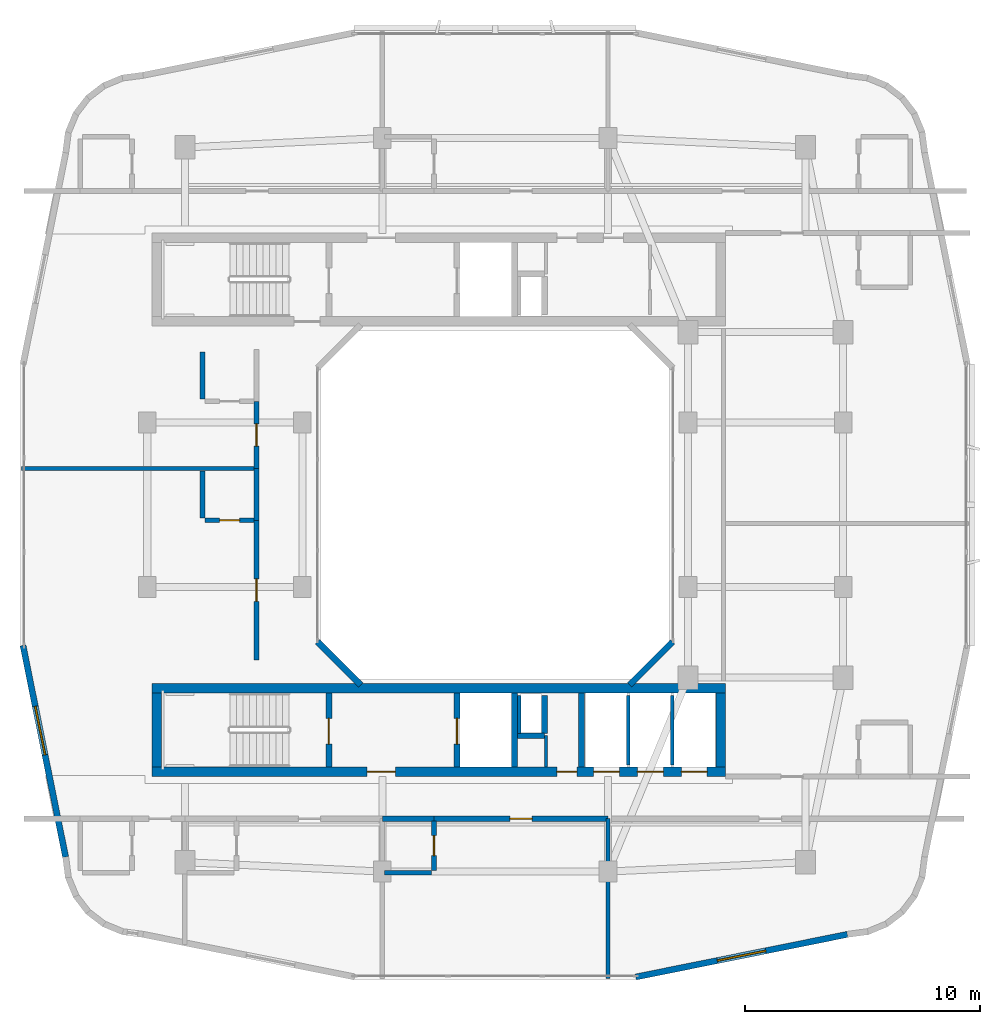
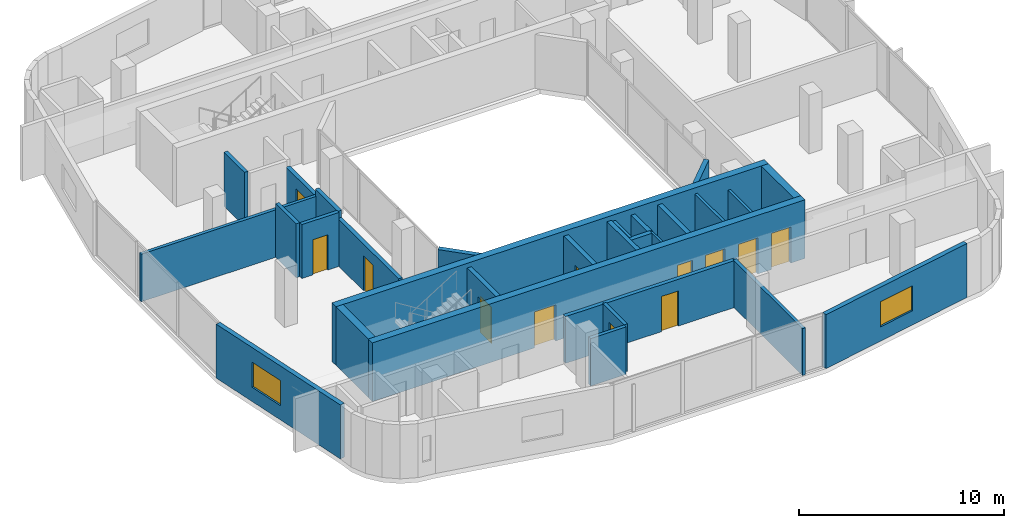
# One storey, part 7 of 14: 30 walls, 12 doors, 2 windows, 14 openings.
"""IFC4 building model written with IfcOpenShell, lengths in metres."""

from ifc_helpers import new_model, si_unit, derived_unit, direction, frame, frame_2d, origin, place, context, subcontext, project, spatial, rectangle, extrude, material, layer, layer_set, type_object, element, fill, save


model = new_model("IFC4")

# Units and contexts
model_context = context("Model", 3, precision=1e-05, world=origin(), true_north=direction((0.0, 1.0)))
body_context = subcontext(model_context, "Body", "Model", "MODEL_VIEW")
ifc_project = project(units=[si_unit("LENGTHUNIT", "METRE"), si_unit("AREAUNIT", "SQUARE_METRE"), si_unit("VOLUMEUNIT", "CUBIC_METRE"), si_unit("PLANEANGLEUNIT", "RADIAN"), si_unit("MASSUNIT", "GRAM", prefix="KILO"), derived_unit("THERMALTRANSMITTANCEUNIT", [(si_unit("POWERUNIT", "WATT"), 1), (si_unit("LENGTHUNIT", "METRE"), -2), (si_unit("THERMODYNAMICTEMPERATUREUNIT", "KELVIN"), -1)])], contexts=[model_context])

# Site, building, storey
site_placement = place(None, origin())
site = spatial("IfcSite", under=ifc_project, at=site_placement, CompositionType="ELEMENT")
building_placement = place(site_placement, origin())
building = spatial("IfcBuilding", under=site, at=building_placement, Name="Kivonza Crest Hotel", CompositionType="ELEMENT")
storey_placement = place(building_placement, frame((0.0, 0.0, 148.5)))
storey = spatial("IfcBuildingStorey", under=building, at=storey_placement, Name="L40", CompositionType="ELEMENT", Elevation=148.5)

# Walls
ifc_material_1 = material(Name="High-density acoustic masonry inter-tenancy wall", Category="masonry")
ifc_layer_1 = layer(ifc_material_1, 0.179931640625)
ifc_layer_set_1 = layer_set([ifc_layer_1], Name="High-density acoustic masonry inter-tenancy wall")
wall_type_1 = type_object("IfcWallType", Name="WL-ACOU-180", PredefinedType="SOLIDWALL", material=ifc_layer_set_1)
wall_1_placement = place(storey_placement, frame((25.800048828125, 4.860107421875, 0.0), z_axis=(0.0, 0.0, 1.0), x_axis=(0.0, 1.0, 0.0)))
element("IfcWall", 1, at=wall_1_placement, inside=storey, type_object=wall_type_1, Name="L40 interior partition WA-L40-T1S-DIV3", PredefinedType="SOLIDWALL", context=body_context, shape_type="SweptSolid", body=[
    extrude(rectangle(XDim=6.789794921875, YDim=0.179931640625, at=frame_2d((3.39501953125, 0.0))), origin(), (0.0, 0.0, 1.0), 2.794921875),
])
wall_2_placement = place(storey_placement, frame((0.860107421875, 26.5400390625, 0.0), z_axis=(0.0, 0.0, 1.0), x_axis=(1.0, 0.0, 0.0)))
element("IfcWall", 2, at=wall_2_placement, inside=storey, type_object=wall_type_1, Name="L40 interior partition WA-L40-T1W-DIV1", PredefinedType="SOLIDWALL", context=body_context, shape_type="SweptSolid", body=[
    extrude(rectangle(XDim=9.989990234375, YDim=0.179931640625, at=frame_2d((4.9951171875, 0.0))), origin(), (0.0, 0.0, 1.0), 2.8349609375),
])
ifc_material_2 = material(Name="Autoclaved aerated concrete blockwork", Category="masonry")
ifc_layer_2 = layer(ifc_material_2, 0.219970703125)
ifc_layer_set_2 = layer_set([ifc_layer_2], Name="Autoclaved aerated concrete blockwork")
wall_type_2 = type_object("IfcWallType", Name="WL-ACOU-220", PredefinedType="SOLIDWALL", material=ifc_layer_set_2)
wall_3_placement = place(storey_placement, frame((16.199951171875, 11.64990234375, 0.0), z_axis=(0.0, 0.0, 1.0), x_axis=(1.0, 0.0, 0.0)))
element("IfcWall", 3, at=wall_3_placement, inside=storey, type_object=wall_type_2, Name="L40 interior partition WA-L40-S06-BCORR", PredefinedType="SOLIDWALL", context=body_context, shape_type="SweptSolid", body=[
    extrude(rectangle(XDim=2.199951171875, YDim=0.219970703125, at=frame_2d((1.10009765625, 0.0))), origin(), (0.0, 0.0, 1.0), 2.794921875),
])

# Wall, opening, door
wall_4_placement = place(storey_placement, frame((18.39990234375, 11.64990234375, 0.0), z_axis=(0.0, 0.0, 1.0), x_axis=(1.0, 0.0, 0.0)))
wall_4 = element("IfcWall", 4, at=wall_4_placement, inside=storey, type_object=wall_type_2, Name="L40 interior partition WA-L40-S06-MCORR", PredefinedType="SOLIDWALL", context=body_context, shape_type="SweptSolid", body=[
    extrude(rectangle(XDim=7.400146484375, YDim=0.219970703125, at=frame_2d((3.7001953125, 0.0))), origin(), (0.0, 0.0, 1.0), 2.794921875),
])
opening_1_placement = place(wall_4_placement, frame((3.22509765625, 0.0, 0.0)))
opening_1 = element("IfcOpeningElement", 5, at=opening_1_placement, cuts=wall_4, Name="Opening DU-60", PredefinedType="OPENING", context=body_context, shape_type="SweptSolid", body=[
    extrude(rectangle(XDim=0.949951171875, YDim=2.10009765625, at=frame_2d((0.47509765625, 1.050048828125))), frame((0.0, 0.1201171875, 0.0), z_axis=(0.0, -1.0, 0.0), x_axis=(1.0, 0.0, 0.0)), (0.0, 0.0, 1.0), 0.239990234375),
])
ifc_material_3 = material(Name="Hardwood timber oak", Category="wood")
door_type_1 = type_object("IfcDoorType", Name="DR-UNIT-950", OperationType="NOTDEFINED", PredefinedType="DOOR", material=ifc_material_3)
door_1_placement = place(opening_1_placement, frame((0.949951171875, 0.0, 0.0), z_axis=(0.0, 0.0, 1.0), x_axis=(-1.0, 0.0, 0.0)))
door_1 = element("IfcDoor", 6, at=door_1_placement, inside=storey, type_object=door_type_1, Name="L40 S06 guest unit entrance fire door", OperationType="SINGLE_SWING_RIGHT", OverallHeight=2.10009765625, OverallWidth=0.949951171875, PredefinedType="DOOR", context=body_context, shape_type="SweptSolid", body=[
    extrude(rectangle(XDim=0.949951171875, YDim=2.10009765625, at=frame_2d((0.47509765625, 1.050048828125))), frame((0.0, 0.02490234375, 0.0), z_axis=(0.0, -1.0, 0.0), x_axis=(1.0, 0.0, 0.0)), (0.0, 0.0, 1.0), 0.050048828125),
])
fill(opening_1, door_1)

# Wall
wall_5_placement = place(storey_placement, frame((10.85009765625, 24.340087890625, 0.0), z_axis=(0.0, 0.0, 1.0), x_axis=(0.0, 1.0, 0.0)))
element("IfcWall", 7, at=wall_5_placement, inside=storey, type_object=wall_type_2, Name="L40 interior partition WA-L40-W07-BCORR", PredefinedType="SOLIDWALL", context=body_context, shape_type="SweptSolid", body=[
    extrude(rectangle(XDim=2.199951171875, YDim=0.219970703125, at=frame_2d((1.10009765625, 0.0))), origin(), (0.0, 0.0, 1.0), 3.219970703125),
])

# Wall, opening, door
wall_6_placement = place(storey_placement, frame((10.85009765625, 18.39990234375, 0.0), z_axis=(0.0, 0.0, 1.0), x_axis=(0.0, 1.0, 0.0)))
wall_6 = element("IfcWall", 8, at=wall_6_placement, inside=storey, type_object=wall_type_2, Name="L40 interior partition WA-L40-W07-MCORR", PredefinedType="SOLIDWALL", context=body_context, shape_type="SweptSolid", body=[
    extrude(rectangle(XDim=5.940185546875, YDim=0.219970703125, at=frame_2d((2.97021484375, 0.0))), origin(), (0.0, 0.0, 1.0), 2.794921875),
])
opening_2_placement = place(wall_6_placement, frame((2.4951171875, 0.0, 0.0)))
opening_2 = element("IfcOpeningElement", 9, at=opening_2_placement, cuts=wall_6, Name="Opening DU-60", PredefinedType="OPENING", context=body_context, shape_type="SweptSolid", body=[
    extrude(rectangle(XDim=0.949951171875, YDim=2.10009765625, at=frame_2d((0.47509765625, 1.050048828125))), frame((0.0, 0.1201171875, 0.0), z_axis=(0.0, -1.0, 0.0), x_axis=(1.0, 0.0, 0.0)), (0.0, 0.0, 1.0), 0.239990234375),
])
door_2_placement = place(opening_2_placement, origin())
door_2 = element("IfcDoor", 10, at=door_2_placement, inside=storey, type_object=door_type_1, Name="L40 W07 guest unit entrance fire door", OperationType="SINGLE_SWING_LEFT", OverallHeight=2.10009765625, OverallWidth=0.949951171875, PredefinedType="DOOR", context=body_context, shape_type="SweptSolid", body=[
    extrude(rectangle(XDim=0.949951171875, YDim=2.10009765625, at=frame_2d((0.47509765625, 1.050048828125))), frame((0.0, 0.02490234375, 0.0), z_axis=(0.0, -1.0, 0.0), x_axis=(1.0, 0.0, 0.0)), (0.0, 0.0, 1.0), 0.050048828125),
])
fill(opening_2, door_2)

wall_7_placement = place(storey_placement, frame((10.85009765625, 26.5400390625, 0.0), z_axis=(0.0, 0.0, 1.0), x_axis=(0.0, 1.0, 0.0)))
wall_7 = element("IfcWall", 11, at=wall_7_placement, inside=storey, type_object=wall_type_2, Name="L40 interior partition WA-L40-W08-MCORR", PredefinedType="SOLIDWALL", context=body_context, shape_type="SweptSolid", body=[
    extrude(rectangle(XDim=2.85986328125, YDim=0.219970703125, at=frame_2d((1.429931640625, 0.0))), origin(), (0.0, 0.0, 1.0), 2.794921875),
])
opening_3_placement = place(wall_7_placement, frame((0.955078125, 0.0, 0.0)))
opening_3 = element("IfcOpeningElement", 12, at=opening_3_placement, cuts=wall_7, Name="Opening DU-60", PredefinedType="OPENING", context=body_context, shape_type="SweptSolid", body=[
    extrude(rectangle(XDim=0.949951171875, YDim=2.10009765625, at=frame_2d((0.47509765625, 1.050048828125))), frame((0.0, 0.1201171875, 0.0), z_axis=(0.0, -1.0, 0.0), x_axis=(1.0, 0.0, 0.0)), (0.0, 0.0, 1.0), 0.239990234375),
])
door_3_placement = place(opening_3_placement, origin())
door_3 = element("IfcDoor", 13, at=door_3_placement, inside=storey, type_object=door_type_1, Name="L40 W08 guest unit entrance fire door", OperationType="SINGLE_SWING_RIGHT", OverallHeight=2.10009765625, OverallWidth=0.949951171875, PredefinedType="DOOR", context=body_context, shape_type="SweptSolid", body=[
    extrude(rectangle(XDim=0.949951171875, YDim=2.10009765625, at=frame_2d((0.47509765625, 1.050048828125))), frame((0.0, 0.02490234375, 0.0), z_axis=(0.0, -1.0, 0.0), x_axis=(1.0, 0.0, 0.0)), (0.0, 0.0, 1.0), 0.050048828125),
])
fill(opening_3, door_3)

# Wall, openings, doors
ifc_material_4 = material(Name="Concrete C50/60", Category="concrete")
ifc_layer_3 = layer(ifc_material_4, 0.39990234375)
ifc_layer_set_3 = layer_set([ifc_layer_3], Name="Concrete C50/60")
wall_type_3 = type_object("IfcWallType", Name="WL-CORE-400", PredefinedType="SHEAR", material=ifc_layer_set_3)
wall_8_placement = place(storey_placement, frame((6.39990234375, 13.639892578125, 0.0), z_axis=(0.0, 0.0, 1.0), x_axis=(1.0, 0.0, 0.0)))
wall_8 = element("IfcWall", 14, at=wall_8_placement, inside=storey, type_object=wall_type_3, Name="Core wall T1-S South L40", PredefinedType="SHEAR", context=body_context, shape_type="SweptSolid", body=[
    extrude(rectangle(XDim=24.400146484375, YDim=0.39990234375, at=frame_2d((12.2001953125, 0.0))), origin(), (0.0, 0.0, 1.0), 3.5),
])
opening_4_placement = place(wall_8_placement, frame((9.14990234375, 0.0, 0.0)))
opening_4 = element("IfcOpeningElement", 15, at=opening_4_placement, cuts=wall_8, Name="Opening DF-60", PredefinedType="OPENING", context=body_context, shape_type="SweptSolid", body=[
    extrude(rectangle(XDim=1.199951171875, YDim=2.14990234375, at=frame_2d((0.60009765625, 1.074951171875))), frame((0.0, 0.2099609375, 0.0), z_axis=(0.0, -1.0, 0.0), x_axis=(1.0, 0.0, 0.0)), (0.0, 0.0, 1.0), 0.419921875),
])
opening_5_placement = place(wall_8_placement, frame((17.219970703125, 0.0, 0.0)))
opening_5 = element("IfcOpeningElement", 16, at=opening_5_placement, cuts=wall_8, Name="Opening DF-60R", PredefinedType="OPENING", context=body_context, shape_type="SweptSolid", body=[
    extrude(rectangle(XDim=0.85009765625, YDim=2.10009765625, at=frame_2d((0.425048828125, 1.050048828125))), frame((0.0, 0.2099609375, 0.0), z_axis=(0.0, -1.0, 0.0), x_axis=(1.0, 0.0, 0.0)), (0.0, 0.0, 1.0), 0.419921875),
])
opening_6_placement = place(wall_8_placement, frame((18.782958984375, 0.0, 0.0)))
opening_6 = element("IfcOpeningElement", 17, at=opening_6_placement, cuts=wall_8, Name="Opening LD-120", PredefinedType="OPENING", context=body_context, shape_type="SweptSolid", body=[
    extrude(rectangle(XDim=1.10009765625, YDim=2.14990234375, at=frame_2d((0.550048828125, 1.074951171875))), frame((0.0, 0.2099609375, 0.0), z_axis=(0.0, -1.0, 0.0), x_axis=(1.0, 0.0, 0.0)), (0.0, 0.0, 1.0), 0.419921875),
])
opening_7_placement = place(wall_8_placement, frame((20.64990234375, 0.0, 0.0)))
opening_7 = element("IfcOpeningElement", 18, at=opening_7_placement, cuts=wall_8, Name="Opening LD-120", PredefinedType="OPENING", context=body_context, shape_type="SweptSolid", body=[
    extrude(rectangle(XDim=1.10009765625, YDim=2.14990234375, at=frame_2d((0.550048828125, 1.074951171875))), frame((0.0, 0.2099609375, 0.0), z_axis=(0.0, -1.0, 0.0), x_axis=(1.0, 0.0, 0.0)), (0.0, 0.0, 1.0), 0.419921875),
])
opening_8_placement = place(wall_8_placement, frame((22.51708984375, 0.0, 0.0)))
opening_8 = element("IfcOpeningElement", 19, at=opening_8_placement, cuts=wall_8, Name="Opening LD-120", PredefinedType="OPENING", context=body_context, shape_type="SweptSolid", body=[
    extrude(rectangle(XDim=1.10009765625, YDim=2.14990234375, at=frame_2d((0.550048828125, 1.074951171875))), frame((0.0, 0.2099609375, 0.0), z_axis=(0.0, -1.0, 0.0), x_axis=(1.0, 0.0, 0.0)), (0.0, 0.0, 1.0), 0.419921875),
])
door_type_2 = type_object("IfcDoorType", Name="DR-FD60-1200", OperationType="NOTDEFINED", PredefinedType="DOOR", material=ifc_material_3)
door_4_placement = place(opening_4_placement, frame((1.199951171875, 0.0, 0.0), z_axis=(0.0, 0.0, 1.0), x_axis=(-1.0, 0.0, 0.0)))
door_4 = element("IfcDoor", 20, at=door_4_placement, inside=storey, type_object=door_type_2, Name="L40 T1-S firefighting lobby fire door", OperationType="SINGLE_SWING_LEFT", OverallHeight=2.14990234375, OverallWidth=1.199951171875, PredefinedType="DOOR", context=body_context, shape_type="SweptSolid", body=[
    extrude(rectangle(XDim=1.199951171875, YDim=2.14990234375, at=frame_2d((0.60009765625, 1.074951171875))), frame((0.0, 0.02490234375, 0.0), z_axis=(0.0, -1.0, 0.0), x_axis=(1.0, 0.0, 0.0)), (0.0, 0.0, 1.0), 0.050048828125),
])
fill(opening_4, door_4)
door_type_3 = type_object("IfcDoorType", Name="DR-FD60-850", OperationType="NOTDEFINED", PredefinedType="DOOR", material=ifc_material_3)
door_5_placement = place(opening_5_placement, frame((0.85009765625, 0.0, 0.0), z_axis=(0.0, 0.0, 1.0), x_axis=(-1.0, 0.0, 0.0)))
door_5 = element("IfcDoor", 21, at=door_5_placement, inside=storey, type_object=door_type_3, Name="L40 T1-S core room door", OperationType="SINGLE_SWING_RIGHT", OverallHeight=2.10009765625, OverallWidth=0.85009765625, PredefinedType="DOOR", context=body_context, shape_type="SweptSolid", body=[
    extrude(rectangle(XDim=0.85009765625, YDim=2.10009765625, at=frame_2d((0.425048828125, 1.050048828125))), frame((0.0, 0.02490234375, 0.0), z_axis=(0.0, -1.0, 0.0), x_axis=(1.0, 0.0, 0.0)), (0.0, 0.0, 1.0), 0.050048828125),
])
fill(opening_5, door_5)
ifc_material_5 = material(Name="Stainless steel", Category="steel")
door_type_4 = type_object("IfcDoorType", Name="DR-LD120-1100", OperationType="NOTDEFINED", PredefinedType="DOOR", material=ifc_material_5)
door_6_placement = place(opening_6_placement, frame((1.10009765625, 0.0, 0.0), z_axis=(0.0, 0.0, 1.0), x_axis=(-1.0, 0.0, 0.0)))
door_6 = element("IfcDoor", 22, at=door_6_placement, inside=storey, type_object=door_type_4, Name="L40 PL-T1-H1 passenger lift sliding landing door", OperationType="DOUBLE_DOOR_SLIDING", OverallHeight=2.14990234375, OverallWidth=1.10009765625, PredefinedType="DOOR", context=body_context, shape_type="SweptSolid", body=[
    extrude(rectangle(XDim=1.10009765625, YDim=2.14990234375, at=frame_2d((0.550048828125, 1.074951171875))), frame((0.0, 0.02490234375, 0.0), z_axis=(0.0, -1.0, 0.0), x_axis=(1.0, 0.0, 0.0)), (0.0, 0.0, 1.0), 0.050048828125),
])
fill(opening_6, door_6)
door_7_placement = place(opening_7_placement, frame((1.10009765625, 0.0, 0.0), z_axis=(0.0, 0.0, 1.0), x_axis=(-1.0, 0.0, 0.0)))
door_7 = element("IfcDoor", 23, at=door_7_placement, inside=storey, type_object=door_type_4, Name="L40 PL-T1-H2 passenger lift sliding landing door", OperationType="DOUBLE_DOOR_SLIDING", OverallHeight=2.14990234375, OverallWidth=1.10009765625, PredefinedType="DOOR", context=body_context, shape_type="SweptSolid", body=[
    extrude(rectangle(XDim=1.10009765625, YDim=2.14990234375, at=frame_2d((0.550048828125, 1.074951171875))), frame((0.0, 0.02490234375, 0.0), z_axis=(0.0, -1.0, 0.0), x_axis=(1.0, 0.0, 0.0)), (0.0, 0.0, 1.0), 0.050048828125),
])
fill(opening_7, door_7)
door_8_placement = place(opening_8_placement, frame((1.10009765625, 0.0, 0.0), z_axis=(0.0, 0.0, 1.0), x_axis=(-1.0, 0.0, 0.0)))
door_8 = element("IfcDoor", 24, at=door_8_placement, inside=storey, type_object=door_type_4, Name="L40 PL-T1-H3 passenger lift sliding landing door", OperationType="DOUBLE_DOOR_SLIDING", OverallHeight=2.14990234375, OverallWidth=1.10009765625, PredefinedType="DOOR", context=body_context, shape_type="SweptSolid", body=[
    extrude(rectangle(XDim=1.10009765625, YDim=2.14990234375, at=frame_2d((0.550048828125, 1.074951171875))), frame((0.0, 0.02490234375, 0.0), z_axis=(0.0, -1.0, 0.0), x_axis=(1.0, 0.0, 0.0)), (0.0, 0.0, 1.0), 0.050048828125),
])
fill(opening_8, door_8)

# Walls
wall_9_placement = place(storey_placement, frame((6.39990234375, 17.199951171875, 0.0), z_axis=(0.0, 0.0, 1.0), x_axis=(1.0, 0.0, 0.0)))
element("IfcWall", 25, at=wall_9_placement, inside=storey, type_object=wall_type_3, Name="Core wall T1-S North L40", PredefinedType="SHEAR", context=body_context, shape_type="SweptSolid", body=[
    extrude(rectangle(XDim=24.400146484375, YDim=0.39990234375, at=frame_2d((12.2001953125, 0.0))), origin(), (0.0, 0.0, 1.0), 3.5),
])
for number, where, z_axis, x_axis, name in (
    (26, (6.60009765625, 13.840087890625, 0.0), (0.0, 0.0, 1.0), (0.0, 1.0, 0.0), "Core wall T1-S West L40"),
    (27, (30.60009765625, 13.840087890625, 0.0), (0.0, 0.0, 1.0), (0.0, 1.0, 0.0), "Core wall T1-S East L40"),
):
    element("IfcWall", number, at=place(storey_placement, frame(where, z_axis=z_axis, x_axis=x_axis)), inside=storey, type_object=wall_type_3, Name=name, PredefinedType="SHEAR", context=body_context, shape_type="SweptSolid", body=[
        extrude(rectangle(XDim=3.159912109375, YDim=0.39990234375, at=frame_2d((1.580078125, 0.0))), origin(), (0.0, 0.0, 1.0), 3.5),
    ])

# Wall, opening, window
ifc_material_6 = material(Name="Precast concrete C40/50", Category="concrete")
ifc_layer_4 = layer(ifc_material_6, 0.260009765625)
ifc_layer_set_4 = layer_set([ifc_layer_4], Name="Precast concrete C40/50")
wall_type_4 = type_object("IfcWallType", Name="WL-EXT-260", PredefinedType="STANDARD", material=ifc_layer_set_4)
wall_10_placement = place(storey_placement, frame((26.97998046875, 4.916015625, 0.0), z_axis=(0.0, 0.0, 1.0), x_axis=(0.980315963543, 0.197435082048, 0.0)))
wall_10 = element("IfcWall", 28, at=wall_10_placement, inside=storey, type_object=wall_type_4, Name="L40 T1 exterior insulated wall 9", PredefinedType="STANDARD", context=body_context, shape_type="SweptSolid", body=[
    extrude(rectangle(XDim=9.1826171875, YDim=0.260009765625, at=frame_2d((4.59130859375, 0.0))), origin(), (0.0, 0.0, 1.0), 3.219970703125),
])
opening_9_placement = place(wall_10_placement, frame((3.541015625, 0.0, 0.85009765625)))
opening_9 = element("IfcOpeningElement", 29, at=opening_9_placement, cuts=wall_10, Name="Opening WN-04", PredefinedType="OPENING", context=body_context, shape_type="SweptSolid", body=[
    extrude(rectangle(XDim=2.10009765625, YDim=1.5, at=frame_2d((1.050048828125, 0.75))), frame((0.0, 0.14013671875, 0.0), z_axis=(0.0, -1.0, 0.0), x_axis=(1.0, 0.0, 0.0)), (0.0, 0.0, 1.0), 0.280029296875),
])
ifc_material_7 = material(Name="Thermally broken bronze aluminium and low-E double glazing", Category="aluminium")
window_type = type_object("IfcWindowType", Name="WN-210x150", PartitioningType="DOUBLE_PANEL_VERTICAL", PredefinedType="WINDOW", material=ifc_material_7)
window_1_placement = place(opening_9_placement, origin())
window_1 = element("IfcWindow", 30, at=window_1_placement, inside=storey, type_object=window_type, Name="L40 T1 facade window 9", OverallHeight=1.5, OverallWidth=2.10009765625, PartitioningType="SINGLE_PANEL", PredefinedType="WINDOW", context=body_context, shape_type="SweptSolid", body=[
    extrude(rectangle(XDim=2.10009765625, YDim=1.5, at=frame_2d((1.050048828125, 0.75))), frame((0.0, 0.030029296875, 0.0), z_axis=(0.0, -1.0, 0.0), x_axis=(1.0, 0.0, 0.0)), (0.0, 0.0, 1.0), 0.06005859375),
])
fill(opening_9, window_1)

wall_11_placement = place(storey_placement, frame((0.916015625, 19.02001953125, 0.0), z_axis=(0.0, 0.0, 1.0), x_axis=(0.197435082048, -0.980315963543, 0.0)))
wall_11 = element("IfcWall", 31, at=wall_11_placement, inside=storey, type_object=wall_type_4, Name="L40 T1 exterior insulated wall 36", PredefinedType="STANDARD", context=body_context, shape_type="SweptSolid", body=[
    extrude(rectangle(XDim=9.1826171875, YDim=0.260009765625, at=frame_2d((4.59130859375, 0.0))), origin(), (0.0, 0.0, 1.0), 3.219970703125),
])
opening_10_placement = place(wall_11_placement, frame((2.64697265625, 0.0, 0.85009765625)))
opening_10 = element("IfcOpeningElement", 32, at=opening_10_placement, cuts=wall_11, Name="Opening WN-04", PredefinedType="OPENING", context=body_context, shape_type="SweptSolid", body=[
    extrude(rectangle(XDim=2.10009765625, YDim=1.5, at=frame_2d((1.050048828125, 0.75))), frame((0.0, 0.14013671875, 0.0), z_axis=(0.0, -1.0, 0.0), x_axis=(1.0, 0.0, 0.0)), (0.0, 0.0, 1.0), 0.280029296875),
])
window_2_placement = place(opening_10_placement, origin())
window_2 = element("IfcWindow", 33, at=window_2_placement, inside=storey, type_object=window_type, Name="L40 T1 facade window 36", OverallHeight=1.5, OverallWidth=2.10009765625, PartitioningType="SINGLE_PANEL", PredefinedType="WINDOW", context=body_context, shape_type="SweptSolid", body=[
    extrude(rectangle(XDim=2.10009765625, YDim=1.5, at=frame_2d((1.050048828125, 0.75))), frame((0.0, 0.030029296875, 0.0), z_axis=(0.0, -1.0, 0.0), x_axis=(1.0, 0.0, 0.0)), (0.0, 0.0, 1.0), 0.06005859375),
])
fill(opening_10, window_2)

# Walls
for number, where, z_axis, x_axis, name in (
    (34, (26.721923828125, 17.337890625, 0.0), (0.0, 0.0, 1.0), (0.707059717605, 0.707153841636, 0.0), "L40 T1 light-well exterior wall 2"),
    (35, (13.444091796875, 19.172119140625, 0.0), (0.0, 0.0, 1.0), (0.707059717605, -0.707153841636, 0.0), "L40 T1 light-well exterior wall 8"),
):
    element("IfcWall", number, at=place(storey_placement, frame(where, z_axis=z_axis, x_axis=x_axis)), inside=storey, type_object=wall_type_4, Name=name, PredefinedType="STANDARD", context=body_context, shape_type="SweptSolid", body=[
        extrude(rectangle(XDim=2.59375, YDim=0.260009765625, at=frame_2d((1.296875, 0.0))), origin(), (0.0, 0.0, 1.0), 3.219970703125),
    ])
ifc_material_8 = material(Name="Concrete blockwork fire-compartment wall", Category="masonry")
ifc_layer_5 = layer(ifc_material_8, 0.25)
ifc_layer_set_5 = layer_set([ifc_layer_5], Name="Concrete blockwork fire-compartment wall")
wall_type_5 = type_object("IfcWallType", Name="WL-FIRE-250", PredefinedType="SOLIDWALL", material=ifc_layer_set_5)
wall_12_placement = place(storey_placement, frame((23.10009765625, 15.280029296875, 0.0), z_axis=(0.0, 0.0, 1.0), x_axis=(0.0, 1.0, 0.0)))
element("IfcWall", 36, at=wall_12_placement, inside=storey, type_object=wall_type_5, Name="L40 interior partition WA-L40-T1-S-MEPR-E", PredefinedType="SOLIDWALL", context=body_context, shape_type="SweptSolid", body=[
    extrude(rectangle(XDim=1.619873046875, YDim=0.25, at=frame_2d((0.81005859375, 0.0))), origin(), (0.0, 0.0, 1.0), 3.219970703125),
])
wall_13_placement = place(storey_placement, frame((21.949951171875, 15.179931640625, 0.0), z_axis=(0.0, 0.0, 1.0), x_axis=(1.0, 0.0, 0.0)))
element("IfcWall", 37, at=wall_13_placement, inside=storey, type_object=wall_type_5, Name="L40 interior partition WA-L40-T1-S-MEPR-H", PredefinedType="SOLIDWALL", context=body_context, shape_type="SweptSolid", body=[
    extrude(rectangle(XDim=1.150146484375, YDim=0.25, at=frame_2d((0.5751953125, 0.0))), origin(), (0.0, 0.0, 1.0), 3.219970703125),
])
ifc_material_9 = material(Name="Metal-stud gypsum board partition", Category="gypsum")
ifc_layer_6 = layer(ifc_material_9, 0.125)
ifc_layer_set_6 = layer_set([ifc_layer_6], Name="Metal-stud gypsum board partition")
wall_type_6 = type_object("IfcWallType", Name="WL-PART-125", PredefinedType="PARTITIONING", material=ifc_layer_set_6)
wall_14_placement = place(storey_placement, frame((23.159912109375, 13.840087890625, 0.0), z_axis=(0.0, 0.0, 1.0), x_axis=(0.0, 1.0, 0.0)))
element("IfcWall", 38, at=wall_14_placement, inside=storey, type_object=wall_type_6, Name="L40 interior partition WP-L40-T1-S-SV1V", PredefinedType="PARTITIONING", context=body_context, shape_type="SweptSolid", body=[
    extrude(rectangle(XDim=1.33984375, YDim=0.125, at=frame_2d((0.669921875, 0.0))), origin(), (0.0, 0.0, 1.0), 3.219970703125),
])
ifc_material_10 = material(Name="Twin-stud acoustic gypsum board partition", Category="gypsum")
ifc_layer_7 = layer(ifc_material_10, 0.14990234375)
ifc_layer_set_7 = layer_set([ifc_layer_7], Name="Twin-stud acoustic gypsum board partition")
wall_type_7 = type_object("IfcWallType", Name="WL-PART-150", PredefinedType="PARTITIONING", material=ifc_layer_set_7)
wall_15_placement = place(storey_placement, frame((22.030029296875, 15.280029296875, 0.0), z_axis=(0.0, 0.0, 1.0), x_axis=(0.0, 1.0, 0.0)))
element("IfcWall", 39, at=wall_15_placement, inside=storey, type_object=wall_type_7, Name="L40 interior partition WA-L40-T1-S-MEPR-W", PredefinedType="PARTITIONING", context=body_context, shape_type="SweptSolid", body=[
    extrude(rectangle(XDim=1.619873046875, YDim=0.14990234375, at=frame_2d((0.81005859375, 0.0))), origin(), (0.0, 0.0, 1.0), 3.219970703125),
])
wall_16_placement = place(storey_placement, frame((26.6669921875, 13.93994140625, 0.0), z_axis=(0.0, 0.0, 1.0), x_axis=(0.0, 1.0, 0.0)))
element("IfcWall", 40, at=wall_16_placement, inside=storey, type_object=wall_type_7, Name="L40 interior partition WP-L40-T1-S-BSH-1", PredefinedType="PARTITIONING", context=body_context, shape_type="SweptSolid", body=[
    extrude(rectangle(XDim=2.9599609375, YDim=0.14990234375, at=frame_2d((1.47998046875, 0.0))), origin(), (0.0, 0.0, 1.0), 3.219970703125),
])
wall_17_placement = place(storey_placement, frame((28.532958984375, 13.93994140625, 0.0), z_axis=(0.0, 0.0, 1.0), x_axis=(0.0, 1.0, 0.0)))
element("IfcWall", 41, at=wall_17_placement, inside=storey, type_object=wall_type_7, Name="L40 interior partition WP-L40-T1-S-BSH-2", PredefinedType="PARTITIONING", context=body_context, shape_type="SweptSolid", body=[
    extrude(rectangle(XDim=2.9599609375, YDim=0.14990234375, at=frame_2d((1.47998046875, 0.0))), origin(), (0.0, 0.0, 1.0), 2.794921875),
])

# Wall, opening, door
ifc_material_11 = material(Name="Moisture-resistant plumbing chase partition wall", Category="gypsum")
ifc_layer_8 = layer(ifc_material_11, 0.199951171875)
ifc_layer_set_8 = layer_set([ifc_layer_8], Name="Moisture-resistant plumbing chase partition wall")
wall_type_8 = type_object("IfcWallType", Name="WL-PLUMB-200", PredefinedType="PLUMBINGWALL", material=ifc_layer_set_8)
wall_18_placement = place(storey_placement, frame((18.39990234375, 9.449951171875, 0.0), z_axis=(0.0, 0.0, 1.0), x_axis=(0.0, 1.0, 0.0)))
wall_18 = element("IfcWall", 42, at=wall_18_placement, inside=storey, type_object=wall_type_8, Name="L40 interior partition WW-L40-S06-BV", PredefinedType="PLUMBINGWALL", context=body_context, shape_type="SweptSolid", body=[
    extrude(rectangle(XDim=2.10009765625, YDim=0.199951171875, at=frame_2d((1.050048828125, 0.0))), origin(), (0.0, 0.0, 1.0), 2.8349609375),
])
opening_11_placement = place(wall_18_placement, frame((0.625, 0.0, 0.0)))
opening_11 = element("IfcOpeningElement", 43, at=opening_11_placement, cuts=wall_18, Name="Opening DI-85", PredefinedType="OPENING", context=body_context, shape_type="SweptSolid", body=[
    extrude(rectangle(XDim=0.85009765625, YDim=2.10009765625, at=frame_2d((0.425048828125, 1.050048828125))), frame((0.0, 0.10986328125, 0.0), z_axis=(0.0, -1.0, 0.0), x_axis=(1.0, 0.0, 0.0)), (0.0, 0.0, 1.0), 0.219970703125),
])
door_type_5 = type_object("IfcDoorType", Name="DR-INT-850", OperationType="NOTDEFINED", PredefinedType="DOOR", material=ifc_material_3)
door_9_placement = place(opening_11_placement, frame((0.85009765625, 0.0, 0.0), z_axis=(0.0, 0.0, 1.0), x_axis=(-1.0, 0.0, 0.0)))
door_9 = element("IfcDoor", 44, at=door_9_placement, inside=storey, type_object=door_type_5, Name="L40 S06 en-suite bathroom door", OperationType="SINGLE_SWING_LEFT", OverallHeight=2.10009765625, OverallWidth=0.85009765625, PredefinedType="DOOR", context=body_context, shape_type="SweptSolid", body=[
    extrude(rectangle(XDim=0.85009765625, YDim=2.10009765625, at=frame_2d((0.425048828125, 1.050048828125))), frame((0.0, 0.02490234375, 0.0), z_axis=(0.0, -1.0, 0.0), x_axis=(1.0, 0.0, 0.0)), (0.0, 0.0, 1.0), 0.050048828125),
])
fill(opening_11, door_9)

# Wall
wall_19_placement = place(storey_placement, frame((16.300048828125, 9.35009765625, 0.0), z_axis=(0.0, 0.0, 1.0), x_axis=(1.0, 0.0, 0.0)))
element("IfcWall", 45, at=wall_19_placement, inside=storey, type_object=wall_type_8, Name="L40 interior partition WW-L40-S06-BH", PredefinedType="PLUMBINGWALL", context=body_context, shape_type="SweptSolid", body=[
    extrude(rectangle(XDim=2.0, YDim=0.199951171875, at=frame_2d((1.0, 0.0))), origin(), (0.0, 0.0, 1.0), 2.8349609375),
])

# Wall, opening, door
wall_20_placement = place(storey_placement, frame((8.64990234375, 24.340087890625, 0.0), z_axis=(0.0, 0.0, 1.0), x_axis=(1.0, 0.0, 0.0)))
wall_20 = element("IfcWall", 46, at=wall_20_placement, inside=storey, type_object=wall_type_8, Name="L40 interior partition WW-L40-W07-BH", PredefinedType="PLUMBINGWALL", context=body_context, shape_type="SweptSolid", body=[
    extrude(rectangle(XDim=2.10009765625, YDim=0.199951171875, at=frame_2d((1.050048828125, 0.0))), origin(), (0.0, 0.0, 1.0), 3.219970703125),
])
opening_12_placement = place(wall_20_placement, frame((0.625, 0.0, 0.0)))
opening_12 = element("IfcOpeningElement", 47, at=opening_12_placement, cuts=wall_20, Name="Opening DI-85", PredefinedType="OPENING", context=body_context, shape_type="SweptSolid", body=[
    extrude(rectangle(XDim=0.85009765625, YDim=2.10009765625, at=frame_2d((0.425048828125, 1.050048828125))), frame((0.0, 0.10986328125, 0.0), z_axis=(0.0, -1.0, 0.0), x_axis=(1.0, 0.0, 0.0)), (0.0, 0.0, 1.0), 0.219970703125),
])
door_10_placement = place(opening_12_placement, frame((0.85009765625, 0.0, 0.0), z_axis=(0.0, 0.0, 1.0), x_axis=(-1.0, 0.0, 0.0)))
door_10 = element("IfcDoor", 48, at=door_10_placement, inside=storey, type_object=door_type_5, Name="L40 W07 en-suite bathroom door", OperationType="SINGLE_SWING_RIGHT", OverallHeight=2.10009765625, OverallWidth=0.85009765625, PredefinedType="DOOR", context=body_context, shape_type="SweptSolid", body=[
    extrude(rectangle(XDim=0.85009765625, YDim=2.10009765625, at=frame_2d((0.425048828125, 1.050048828125))), frame((0.0, 0.02490234375, 0.0), z_axis=(0.0, -1.0, 0.0), x_axis=(1.0, 0.0, 0.0)), (0.0, 0.0, 1.0), 0.050048828125),
])
fill(opening_12, door_10)

# Walls
for number, where, z_axis, x_axis, name in (
    (49, (8.550048828125, 24.43994140625, 0.0), (0.0, 0.0, 1.0), (0.0, 1.0, 0.0), "L40 interior partition WW-L40-W07-BV"),
    (50, (8.550048828125, 29.5, 0.0), (0.0, 0.0, 1.0), (0.0, 1.0, 0.0), "L40 interior partition WW-L40-W08-BV"),
):
    element("IfcWall", number, at=place(storey_placement, frame(where, z_axis=z_axis, x_axis=x_axis)), inside=storey, type_object=wall_type_8, Name=name, PredefinedType="PLUMBINGWALL", context=body_context, shape_type="SweptSolid", body=[
        extrude(rectangle(XDim=2.0, YDim=0.199951171875, at=frame_2d((1.0, 0.0))), origin(), (0.0, 0.0, 1.0), 3.219970703125),
    ])

# Wall, opening, door
ifc_layer_9 = layer(ifc_material_4, 0.25)
ifc_layer_set_9 = layer_set([ifc_layer_9], Name="Concrete C50/60")
wall_type_9 = type_object("IfcWallType", Name="WL-SHAFT-250", PredefinedType="STANDARD", material=ifc_layer_set_9)
wall_21_placement = place(storey_placement, frame((13.925048828125, 13.840087890625, 0.0), z_axis=(0.0, 0.0, 1.0), x_axis=(0.0, 1.0, 0.0)))
wall_21 = element("IfcWall", 51, at=wall_21_placement, inside=storey, type_object=wall_type_9, Name="Core shaft wall T1-S STAIR L40", PredefinedType="STANDARD", context=body_context, shape_type="SweptSolid", body=[
    extrude(rectangle(XDim=3.159912109375, YDim=0.25, at=frame_2d((1.580078125, 0.0))), origin(), (0.0, 0.0, 1.0), 3.219970703125),
])
opening_13_placement = place(wall_21_placement, frame((0.97998046875, 0.0, 0.0)))
opening_13 = element("IfcOpeningElement", 52, at=opening_13_placement, cuts=wall_21, Name="Opening DF-120", PredefinedType="OPENING", context=body_context, shape_type="SweptSolid", body=[
    extrude(rectangle(XDim=1.10009765625, YDim=2.14990234375, at=frame_2d((0.550048828125, 1.074951171875))), frame((0.0, 0.135009765625, 0.0), z_axis=(0.0, -1.0, 0.0), x_axis=(1.0, 0.0, 0.0)), (0.0, 0.0, 1.0), 0.27001953125),
])
ifc_material_12 = material(Name="Galvanised steel", Category="steel")
door_type_6 = type_object("IfcDoorType", Name="DR-FD120-1100", OperationType="NOTDEFINED", PredefinedType="DOOR", material=ifc_material_12)
door_11_placement = place(opening_13_placement, frame((1.10009765625, 0.0, 0.0), z_axis=(0.0, 0.0, 1.0), x_axis=(-1.0, 0.0, 0.0)))
door_11 = element("IfcDoor", 53, at=door_11_placement, inside=storey, type_object=door_type_6, Name="L40 T1-S stair fire door", OperationType="SINGLE_SWING_RIGHT", OverallHeight=2.14990234375, OverallWidth=1.10009765625, PredefinedType="DOOR", context=body_context, shape_type="SweptSolid", body=[
    extrude(rectangle(XDim=1.10009765625, YDim=2.14990234375, at=frame_2d((0.550048828125, 1.074951171875))), frame((0.0, 0.02490234375, 0.0), z_axis=(0.0, -1.0, 0.0), x_axis=(1.0, 0.0, 0.0)), (0.0, 0.0, 1.0), 0.050048828125),
])
fill(opening_13, door_11)

wall_22_placement = place(storey_placement, frame((19.375, 13.840087890625, 0.0), z_axis=(0.0, 0.0, 1.0), x_axis=(0.0, 1.0, 0.0)))
wall_22 = element("IfcWall", 54, at=wall_22_placement, inside=storey, type_object=wall_type_9, Name="Core shaft wall T1-S FFL-W L40", PredefinedType="STANDARD", context=body_context, shape_type="SweptSolid", body=[
    extrude(rectangle(XDim=3.159912109375, YDim=0.25, at=frame_2d((1.580078125, 0.0))), origin(), (0.0, 0.0, 1.0), 3.219970703125),
])
opening_14_placement = place(wall_22_placement, frame((0.97998046875, 0.0, 0.0)))
opening_14 = element("IfcOpeningElement", 55, at=opening_14_placement, cuts=wall_22, Name="Opening LD-120", PredefinedType="OPENING", context=body_context, shape_type="SweptSolid", body=[
    extrude(rectangle(XDim=1.10009765625, YDim=2.14990234375, at=frame_2d((0.550048828125, 1.074951171875))), frame((0.0, 0.135009765625, 0.0), z_axis=(0.0, -1.0, 0.0), x_axis=(1.0, 0.0, 0.0)), (0.0, 0.0, 1.0), 0.27001953125),
])
door_12_placement = place(opening_14_placement, origin())
door_12 = element("IfcDoor", 56, at=door_12_placement, inside=storey, type_object=door_type_4, Name="L40 FFL-T1-S firefighting lift sliding landing door", OperationType="DOUBLE_DOOR_SLIDING", OverallHeight=2.14990234375, OverallWidth=1.10009765625, PredefinedType="DOOR", context=body_context, shape_type="SweptSolid", body=[
    extrude(rectangle(XDim=1.10009765625, YDim=2.14990234375, at=frame_2d((0.550048828125, 1.074951171875))), frame((0.0, 0.02490234375, 0.0), z_axis=(0.0, -1.0, 0.0), x_axis=(1.0, 0.0, 0.0)), (0.0, 0.0, 1.0), 0.050048828125),
])
fill(opening_14, door_12)

# Walls
for number, where, z_axis, x_axis, name in (
    (57, (21.824951171875, 13.840087890625, 0.0), (0.0, 0.0, 1.0), (0.0, 1.0, 0.0), "Core shaft wall T1-S FFL-E L40"),
    (58, (24.675048828125, 13.840087890625, 0.0), (0.0, 0.0, 1.0), (0.0, 1.0, 0.0), "Core shaft wall T1-S BANK-W L40"),
):
    element("IfcWall", number, at=place(storey_placement, frame(where, z_axis=z_axis, x_axis=x_axis)), inside=storey, type_object=wall_type_9, Name=name, PredefinedType="STANDARD", context=body_context, shape_type="SweptSolid", body=[
        extrude(rectangle(XDim=3.159912109375, YDim=0.25, at=frame_2d((1.580078125, 0.0))), origin(), (0.0, 0.0, 1.0), 3.219970703125),
    ])

save(model, "model.ifc")
